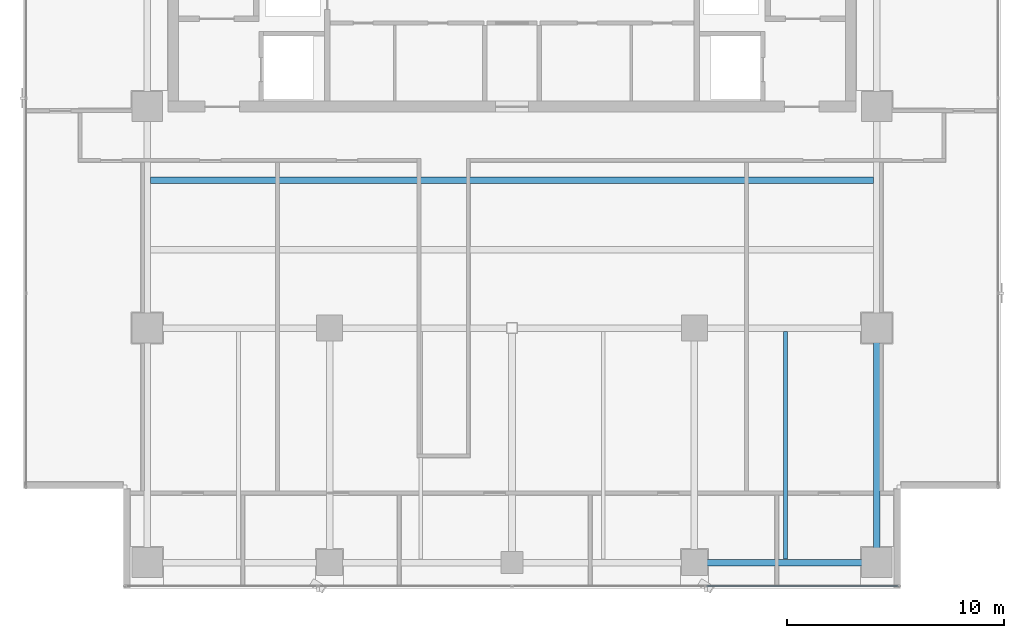
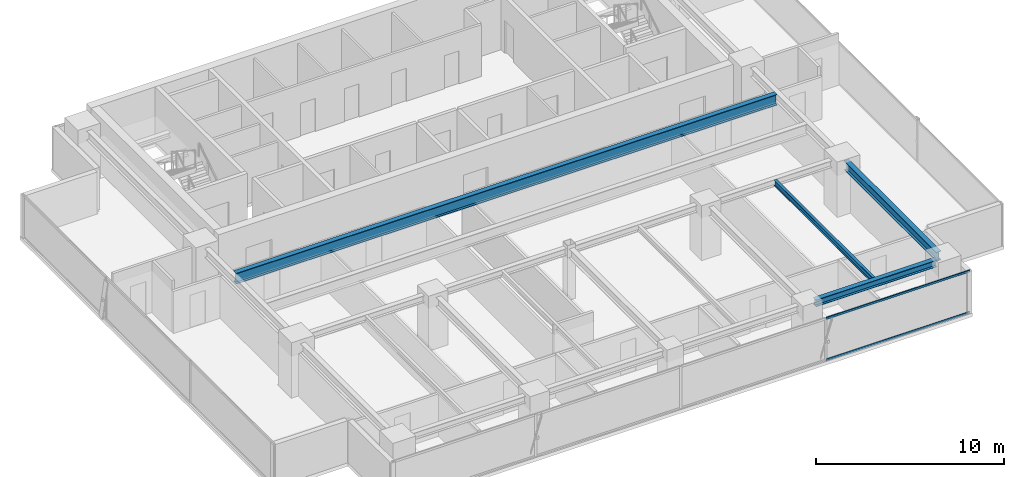
# One storey, part 10 of 27: 4 beams, 2 members, 1 element without a shape of its own.
"""IFC4 building model written with IfcOpenShell, lengths in metres."""

from ifc_helpers import new_model, si_unit, direction, frame, origin, origin_2d, place, context, subcontext, project, spatial, hollow_rectangle, i_section, extrude, source, transform, mapped, material, layer, layer_set, material_profile, profile_set, type_object, element, aggregate, save


model = new_model("IFC4")

# Units and contexts
model_context = context("Model", 3, precision=1e-05, world=origin(), true_north=direction((0.0, 1.0)))
body_context = subcontext(model_context, "Body", "Model", "MODEL_VIEW")
ifc_project = project(units=[si_unit("LENGTHUNIT", "METRE"), si_unit("AREAUNIT", "SQUARE_METRE"), si_unit("VOLUMEUNIT", "CUBIC_METRE"), si_unit("PLANEANGLEUNIT", "RADIAN"), si_unit("MASSUNIT", "GRAM", prefix="KILO")], contexts=[model_context])

# Site, building, storey
site_placement = place(None, origin())
site = spatial("IfcSite", under=ifc_project, at=site_placement, CompositionType="ELEMENT")
building_placement = place(site_placement, origin())
building = spatial("IfcBuilding", under=site, at=building_placement, Name="Sumidabori Civic Tower", CompositionType="ELEMENT")
storey_placement = place(building_placement, frame((0.0, 0.0, 257.60009765625)))
storey = spatial("IfcBuildingStorey", under=building, at=storey_placement, Name="L67", CompositionType="ELEMENT", Elevation=257.60009765625)

# Beams
ifc_material_1 = material(Name="Steel SN490", Category="steel")
ifc_material_profile_1 = material_profile(ifc_material_1, i_section(OverallWidth=0.300048828125, OverallDepth=0.60009765625, WebThickness=0.015380859375, FlangeThickness=0.030029296875, at=origin_2d()), Name="HE 600 B")
ifc_profile_set_1 = profile_set([ifc_material_profile_1], Name="Steel SN490")
beam_type_1 = type_object("IfcBeamType", Name="BM-GIRD-600", PredefinedType="BEAM", material=ifc_profile_set_1)
shared_shape_1 = source(origin(), body_context, "Body", "SweptSolid", [
    extrude(i_section(OverallWidth=0.300048828125, OverallDepth=0.60009765625, WebThickness=0.015380859375, FlangeThickness=0.030029296875, at=origin_2d()), origin(), (0.0, 0.0, 1.0), 9.840087890625),
])
beam_1_placement = place(storey_placement, frame((16.800048828125, -10.320068359375, 3.06982421875), z_axis=(0.0, 1.0, 0.0), x_axis=(-1.0, 0.0, 0.0)))
element("IfcBeam", 1, at=beam_1_placement, inside=storey, type_object=beam_type_1, Name="Primary Girder L67 GY-15", PredefinedType="BEAM", context=body_context, shape_type="MappedRepresentation", body=[
    mapped(shared_shape_1, transform((0.0, 0.0, 0.0), x_axis=(1.0, 0.0, 0.0), y_axis=(0.0, 1.0, 0.0), z_axis=(0.0, 0.0, 1.0), scale=1.0)),
])
ifc_material_profile_2 = material_profile(ifc_material_1, i_section(OverallWidth=0.300048828125, OverallDepth=0.699951171875, WebThickness=0.01708984375, FlangeThickness=0.031982421875, at=origin_2d()), Name="HE 700 B")
ifc_profile_set_2 = profile_set([ifc_material_profile_2], Name="Steel SN490")
beam_type_2 = type_object("IfcBeamType", Name="BM-GIRD-700", PredefinedType="BEAM", material=ifc_profile_set_2)
shared_shape_2 = source(origin(), body_context, "Body", "SweptSolid", [
    extrude(i_section(OverallWidth=0.300048828125, OverallDepth=0.699951171875, WebThickness=0.01708984375, FlangeThickness=0.031982421875, at=origin_2d()), origin(), (0.0, 0.0, 1.0), 33.2998046875),
])
beam_2_placement = place(storey_placement, frame((-16.64990234375, 6.800048828125, 3.02001953125), z_axis=(1.0, 0.0, 0.0), x_axis=(0.0, 1.0, 0.0)))
element("IfcBeam", 2, at=beam_2_placement, inside=storey, type_object=beam_type_2, Name="North Bay Floor Beam L67 JSTN-19", PredefinedType="BEAM", context=body_context, shape_type="MappedRepresentation", body=[
    mapped(shared_shape_2, transform((0.0, 0.0, 0.0), x_axis=(1.0, 0.0, 0.0), y_axis=(0.0, 1.0, 0.0), z_axis=(0.0, 0.0, 1.0), scale=1.0)),
])
ifc_material_profile_3 = material_profile(ifc_material_1, i_section(OverallWidth=0.300048828125, OverallDepth=0.449951171875, WebThickness=0.013916015625, FlangeThickness=0.02587890625, at=origin_2d()), Name="HE 450 B")
ifc_profile_set_3 = profile_set([ifc_material_profile_3], Name="Steel SN490")
beam_type_3 = type_object("IfcBeamType", Name="BM-GIRD-450", PredefinedType="BEAM", material=ifc_profile_set_3)
shared_shape_3 = source(origin(), body_context, "Body", "SweptSolid", [
    extrude(i_section(OverallWidth=0.300048828125, OverallDepth=0.449951171875, WebThickness=0.013916015625, FlangeThickness=0.02587890625, at=origin_2d()), origin(), (0.0, 0.0, 1.0), 7.440185546875),
])
beam_3_placement = place(storey_placement, frame((8.8798828125, -10.800048828125, 3.14501953125), z_axis=(1.0, 0.0, 0.0), x_axis=(0.0, 1.0, 0.0)))
element("IfcBeam", 3, at=beam_3_placement, inside=storey, type_object=beam_type_3, Name="Primary Girder L67 GX-04", PredefinedType="BEAM", context=body_context, shape_type="MappedRepresentation", body=[
    mapped(shared_shape_3, transform((0.0, 0.0, 0.0), x_axis=(1.0, 0.0, 0.0), y_axis=(0.0, 1.0, 0.0), z_axis=(0.0, 0.0, 1.0), scale=1.0)),
])
ifc_material_profile_4 = material_profile(ifc_material_1, i_section(OverallWidth=0.169921875, OverallDepth=0.360107421875, WebThickness=0.008056640625, FlangeThickness=0.0126953125, at=origin_2d()), Name="IPE 360")
ifc_profile_set_4 = profile_set([ifc_material_profile_4], Name="Steel SN490")
beam_type_4 = type_object("IfcBeamType", Name="BM-JST-360", PredefinedType="JOIST", material=ifc_profile_set_4)
shared_shape_4 = source(origin(), body_context, "Body", "SweptSolid", [
    extrude(i_section(OverallWidth=0.169921875, OverallDepth=0.360107421875, WebThickness=0.008056640625, FlangeThickness=0.0126953125, at=origin_2d()), origin(), (0.0, 0.0, 1.0), 10.5),
])
beam_4_placement = place(storey_placement, frame((12.60009765625, -10.64990234375, 3.18994140625), z_axis=(0.0, 1.0, 0.0), x_axis=(-1.0, 0.0, 0.0)))
element("IfcBeam", 4, at=beam_4_placement, inside=storey, type_object=beam_type_4, Name="Upper Lens N-S Floor Joist L67 JSTV-23", PredefinedType="JOIST", context=body_context, shape_type="MappedRepresentation", body=[
    mapped(shared_shape_4, transform((0.0, 0.0, 0.0), x_axis=(1.0, 0.0, 0.0), y_axis=(0.0, 1.0, 0.0), z_axis=(0.0, 0.0, 1.0), scale=1.0)),
])

# Curtain wall, members
ifc_material_2 = material(Name="Anodised Bronze Aluminium AW-6063-T6", Category="aluminium")
ifc_layer = layer(ifc_material_2, 0.179931640625, Name="Anodised Bronze Aluminium AW-6063-T6")
ifc_layer_set = layer_set([ifc_layer], Name="Anodised Bronze Aluminium AW-6063-T6")
curtain_wall_type = type_object("IfcCurtainWallType", Name="CW-SYS-5", PredefinedType="NOTDEFINED", material=ifc_layer_set)
curtain_wall_placement = place(storey_placement, origin())
curtain_wall = element("IfcCurtainWall", 5, at=curtain_wall_placement, inside=storey, type_object=curtain_wall_type, Name="Curtain Wall CW:L67:R01", PredefinedType="NOTDEFINED")
ifc_material_profile_5 = material_profile(ifc_material_2, hollow_rectangle(XDim=0.06005859375, YDim=0.1298828125, WallThickness=0.0048828125, at=origin_2d()), Name="ALU TRANSOM 130x60")
ifc_profile_set_5 = profile_set([ifc_material_profile_5], Name="Anodised Bronze Aluminium AW-6063-T6")
member_type = type_object("IfcMemberType", Name="CW-TRN-130", PredefinedType="USERDEFINED", material=ifc_profile_set_5)
shared_shape_5 = source(origin(), body_context, "Body", "SweptSolid", [
    extrude(hollow_rectangle(XDim=0.06005859375, YDim=0.1298828125, WallThickness=0.0048828125, at=origin_2d()), origin(), (0.0, 0.0, 1.0), 8.844970703125),
])
member_1_placement = place(storey_placement, frame((8.965087890625, -11.8798828125, 0.02978515625), z_axis=(1.0, 0.0, 0.0), x_axis=(0.0, 1.0, 0.0)))
member_1 = element("IfcMember", 6, at=member_1_placement, type_object=member_type, Name="CW-5 transom 4.1", ObjectType="TRANSOM", PredefinedType="USERDEFINED", context=body_context, shape_type="MappedRepresentation", body=[
    mapped(shared_shape_5, transform((0.0, 0.0, 0.0), x_axis=(1.0, 0.0, 0.0), y_axis=(0.0, 1.0, 0.0), z_axis=(0.0, 0.0, 1.0), scale=1.0)),
])
member_2_placement = place(storey_placement, frame((8.965087890625, -11.8798828125, 2.719970703125), z_axis=(1.0, 0.0, 0.0), x_axis=(0.0, 1.0, 0.0)))
member_2 = element("IfcMember", 7, at=member_2_placement, type_object=member_type, Name="CW-5 transom 4.2", ObjectType="TRANSOM", PredefinedType="USERDEFINED", context=body_context, shape_type="MappedRepresentation", body=[
    mapped(shared_shape_5, transform((0.0, 0.0, 0.0), x_axis=(1.0, 0.0, 0.0), y_axis=(0.0, 1.0, 0.0), z_axis=(0.0, 0.0, 1.0), scale=1.0)),
])
aggregate(curtain_wall, [member_1, member_2])

save(model, "model.ifc")
